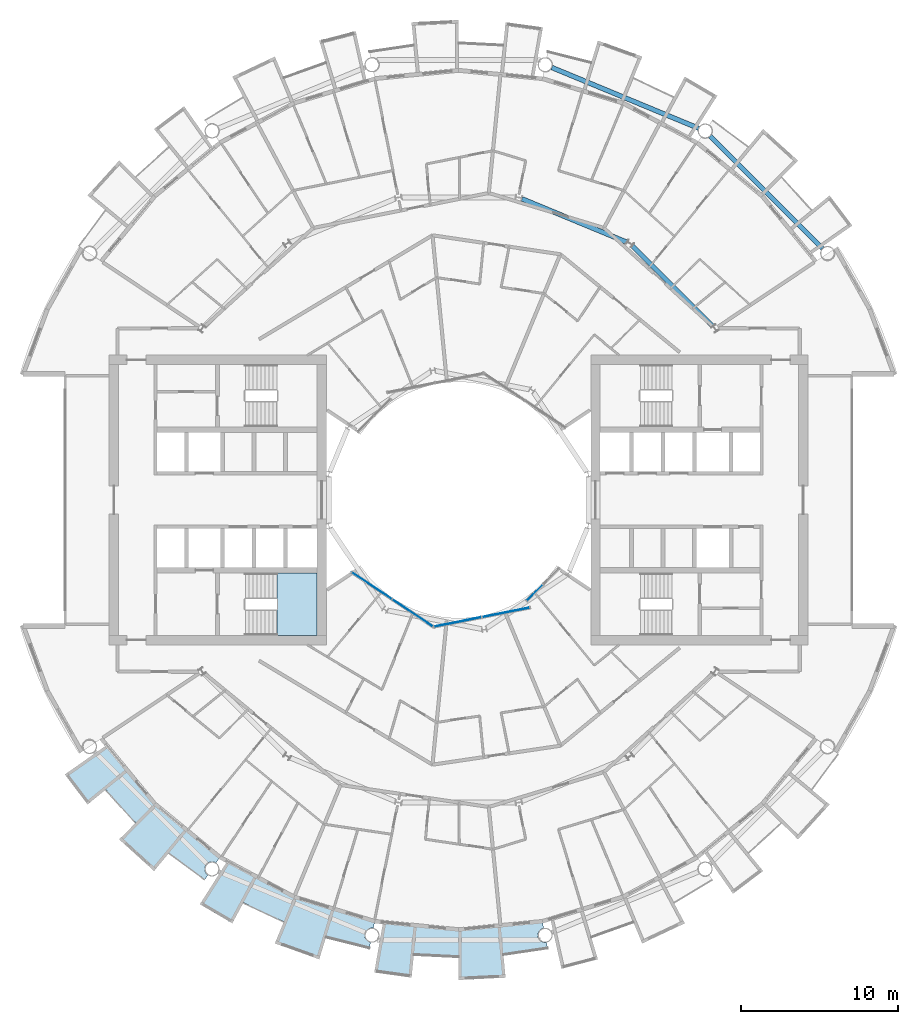
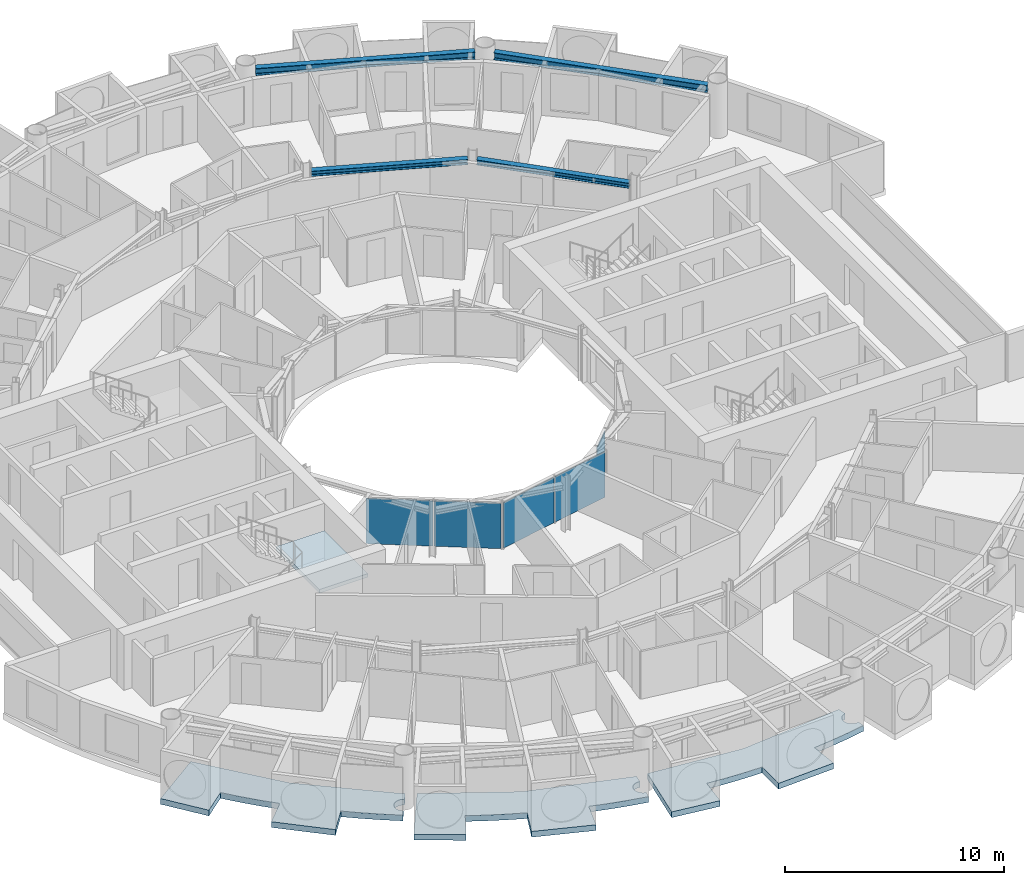
# One storey, part 10 of 27: 5 plates, 4 beams, 4 slabs, 4 elements without a shape of their own.
"""IFC4 building model written with IfcOpenShell, lengths in metres."""

import ifcopenshell
import ifcopenshell.guid

model = None  # the IFC model being written
_history = None  # IfcOwnerHistory: only IFC2X3 demands one
_inside = {}  # id of a spatial element -> (the spatial element, [elements in it])
_under = {}  # id of a project, library or spatial element -> (it, [spatial elements below it])
_declared = {}  # id of a project -> (the project, [libraries it declares])
_typed = {}  # id of a type object -> (the type object, [elements of that type])
_made_of = {}  # id of a material, layer set ... -> (it, [elements and type objects made of it])


def new_model(schema):
    """Start an empty IFC model of exactly this schema.

    Asked for "IFC4X3", IfcOpenShell would pick the latest addendum, in which some entities
    have other attributes; the version numbers below select the first issue.
    IFC2X3 requires an IfcOwnerHistory on every rooted entity: one is made here for all.
    """
    global model, _history
    if schema == "IFC4X3":
        model = ifcopenshell.file(schema_version=(4, 3, 0, 0))
    else:
        model = ifcopenshell.file(schema=schema)
    _inside.clear()
    _under.clear()
    _declared.clear()
    _typed.clear()
    _made_of.clear()
    _history = None
    if model.schema == "IFC2X3":
        org = make("IfcOrganization", Name="unknown")
        user = make(
            "IfcPersonAndOrganization",
            ThePerson=make("IfcPerson", FamilyName="unknown"),
            TheOrganization=org,
        )
        app = make(
            "IfcApplication",
            ApplicationDeveloper=org,
            Version="unknown",
            ApplicationFullName="unknown",
            ApplicationIdentifier="unknown",
        )
        _history = make(
            "IfcOwnerHistory",
            OwningUser=user,
            OwningApplication=app,
            ChangeAction="ADDED",
            CreationDate=0,
        )
    return model


def make(cls, **values):
    """One entity of the class cls with the attributes given. An attribute that is None is left unset."""
    return model.create_entity(
        cls, **{name: value for name, value in values.items() if value is not None}
    )


def rooted(cls, **values):
    """An entity with a GlobalId (a new one), such as an element, a storey or a relation."""
    return make(cls, GlobalId=ifcopenshell.guid.new(), OwnerHistory=_history, **values)


def si_unit(unit_type, name, prefix=None):
    """IfcSIUnit, for example si_unit("LENGTHUNIT", "METRE", prefix="MILLI")."""
    return make("IfcSIUnit", UnitType=unit_type, Prefix=prefix, Name=name)


def assignment(units):
    """IfcUnitAssignment: the units of a project."""
    return None if units is None else make("IfcUnitAssignment", Units=units)


def point(xyz):
    """IfcCartesianPoint."""
    return None if xyz is None else make("IfcCartesianPoint", Coordinates=xyz)


def direction(xyz):
    """IfcDirection."""
    return None if xyz is None else make("IfcDirection", DirectionRatios=xyz)


def frame(location, z_axis=None, x_axis=None):
    """IfcAxis2Placement3D, a coordinate frame: its origin and axes. An axis left out is left unset."""
    return make(
        "IfcAxis2Placement3D",
        Location=point(location),
        Axis=direction(z_axis),
        RefDirection=direction(x_axis),
    )


def frame_2d(location, x_axis=None):
    """IfcAxis2Placement2D, a coordinate frame in the plane: its origin and x axis."""
    return make(
        "IfcAxis2Placement2D", Location=point(location), RefDirection=direction(x_axis)
    )


def origin():
    """The frame at (0, 0, 0) with its axes left unset."""
    return frame((0.0, 0.0, 0.0))


def origin_2d():
    """The frame at (0, 0) in the plane with its x axis left unset."""
    return frame_2d((0.0, 0.0))


def place(relative_to, where):
    """IfcLocalPlacement: puts the frame where relative to a parent placement (None: the world)."""
    return make(
        "IfcLocalPlacement", PlacementRelTo=relative_to, RelativePlacement=where
    )


def context(
    kind, dimensions, precision=None, world=None, true_north=None, identifier=None
):
    """IfcGeometricRepresentationContext, for example the 3D "Model" context."""
    return make(
        "IfcGeometricRepresentationContext",
        ContextIdentifier=identifier,
        ContextType=kind,
        CoordinateSpaceDimension=dimensions,
        Precision=precision,
        WorldCoordinateSystem=world,
        TrueNorth=true_north,
    )


def subcontext(parent, identifier, kind, view, scale=None):
    """IfcGeometricRepresentationSubContext, for example "Body" below "Model"."""
    return make(
        "IfcGeometricRepresentationSubContext",
        ContextIdentifier=identifier,
        ContextType=kind,
        ParentContext=parent,
        TargetScale=scale,
        TargetView=view,
    )


def project(units=None, contexts=None):
    """IfcProject with its units and contexts."""
    return rooted(
        "IfcProject",
        Name="project",
        RepresentationContexts=contexts,
        UnitsInContext=assignment(units),
    )


def spatial(cls, under=None, at=None, **own):
    """A site, building, storey or space (cls), placed at a placement, below another one or the project."""
    s = rooted(cls, ObjectPlacement=at, **own)
    if under is not None:
        _under.setdefault(under.id(), (under, []))[1].append(s)
    return s


def polyline(points):
    """IfcPolyline through the points."""
    return make("IfcPolyline", Points=[point(p) for p in points])


def profile(cls, at=None, kind="AREA", **sizes):
    """A parametric profile (cls). Its sizes go by their IFC names, for example OverallWidth=200.0."""
    return make(cls, ProfileType=kind, Position=at, **sizes)


def rectangle(**sizes):
    """IfcRectangleProfileDef."""
    return profile("IfcRectangleProfileDef", **sizes)


def i_section(**sizes):
    """IfcIShapeProfileDef."""
    return profile("IfcIShapeProfileDef", **sizes)


def outline(outer, holes=None, kind="AREA"):
    """IfcArbitraryClosedProfileDef: a profile drawn as a closed curve; with holes, ...WithVoids."""
    if holes is None:
        return make("IfcArbitraryClosedProfileDef", ProfileType=kind, OuterCurve=outer)
    return make(
        "IfcArbitraryProfileDefWithVoids",
        ProfileType=kind,
        OuterCurve=outer,
        InnerCurves=holes,
    )


def extrude(swept, where, along, depth):
    """IfcExtrudedAreaSolid: the profile swept, set in the frame where, extruded along a direction by depth."""
    return make(
        "IfcExtrudedAreaSolid",
        SweptArea=swept,
        Position=where,
        ExtrudedDirection=direction(along),
        Depth=depth,
    )


def shape(context_of_items, identifier, shape_type, items):
    """IfcShapeRepresentation: the items that make up one representation, for example the "Body"."""
    return make(
        "IfcShapeRepresentation",
        ContextOfItems=context_of_items,
        RepresentationIdentifier=identifier,
        RepresentationType=shape_type,
        Items=items,
    )


def material(Name=None, Category=None):
    """IfcMaterial."""
    return make("IfcMaterial", Name=Name, Category=Category)


def layer(
    of_material, thickness, ventilated=None, Name=None, Category=None, Priority=None
):
    """IfcMaterialLayer: one layer of a wall or slab, of a material (None: an air gap)."""
    return make(
        "IfcMaterialLayer",
        Material=of_material,
        LayerThickness=thickness,
        IsVentilated=ventilated,
        Name=Name,
        Category=Category,
        Priority=Priority,
    )


def layer_set(layers, Name=None):
    """IfcMaterialLayerSet."""
    return make("IfcMaterialLayerSet", MaterialLayers=layers, LayerSetName=Name)


def material_profile(
    of_material, cross_section, Name=None, Category=None, Priority=None
):
    """IfcMaterialProfile: a cross section and its material."""
    return make(
        "IfcMaterialProfile",
        Name=Name,
        Material=of_material,
        Profile=cross_section,
        Priority=Priority,
        Category=Category,
    )


def profile_set(profiles, Name=None, composite=None):
    """IfcMaterialProfileSet."""
    return make(
        "IfcMaterialProfileSet",
        Name=Name,
        MaterialProfiles=profiles,
        CompositeProfile=composite,
    )


def made_of(thing, what):
    """Note that an element or type object is made of a material, layer set ...; save() writes the relation."""
    if what is not None:
        _made_of.setdefault(what.id(), (what, []))[1].append(thing)
    return thing


def type_object(cls, material=None, **own):
    """A type object (cls), such as IfcWallType, which elements share."""
    return made_of(rooted(cls, **own), material)


def element(
    cls,
    number,
    at=None,
    inside=None,
    cuts=None,
    type_object=None,
    material=None,
    context=None,
    identifier="Body",
    shape_type=None,
    held_by="IfcProductDefinitionShape",
    body=None,
    shapes=None,
    **own,
):
    """One element of the class cls, such as IfcWall. Its Tag is "e" and its number.

    at: its placement. inside: the storey or other place that contains it. cuts: it is an
    opening in that element (IfcRelVoidsElement). A single representation is given by context,
    identifier, shape_type and body (its items); several are given by shapes. held_by: the class
    of the entity that holds the representations. save() writes the other relations.
    """
    e = rooted(cls, Tag="e%d" % number, ObjectPlacement=at, **own)
    if body is not None:
        shapes = [shape(context, identifier, shape_type, body)]
    if shapes is not None:
        e.Representation = make(held_by, Representations=shapes)
    if inside is not None:
        _inside.setdefault(inside.id(), (inside, []))[1].append(e)
    if cuts is not None:
        rooted(
            "IfcRelVoidsElement", RelatingBuildingElement=cuts, RelatedOpeningElement=e
        )
    if type_object is not None:
        _typed.setdefault(type_object.id(), (type_object, []))[1].append(e)
    return made_of(e, material)


def aggregate(whole, parts):
    """IfcRelAggregates: a whole, such as a stair, and the parts it consists of."""
    return rooted("IfcRelAggregates", RelatingObject=whole, RelatedObjects=parts)


def save(model, path):
    """Write the relations noted so far, then the file.

    IfcRelAggregates (storeys below a building ...), IfcRelContainedInSpatialStructure (elements
    in a storey), IfcRelDefinesByType, IfcRelAssociatesMaterial and IfcRelDeclares: one each for
    every whole, place, type object, material and project.
    """
    for whole, parts in _under.values():
        aggregate(whole, parts)
    for where, things in _inside.values():
        rooted(
            "IfcRelContainedInSpatialStructure",
            RelatedElements=things,
            RelatingStructure=where,
        )
    for kind, things in _typed.values():
        rooted("IfcRelDefinesByType", RelatedObjects=things, RelatingType=kind)
    for what, things in _made_of.values():
        rooted("IfcRelAssociatesMaterial", RelatedObjects=things, RelatingMaterial=what)
    for by, libraries in _declared.values():
        rooted("IfcRelDeclares", RelatingContext=by, RelatedDefinitions=libraries)
    model.write(path)


model = new_model("IFC4")

# Units and contexts
model_context = context("Model", 3, precision=1e-05, world=origin(), true_north=direction((0.0, 1.0)))
body_context = subcontext(model_context, "Body", "Model", "MODEL_VIEW")
ifc_project = project(units=[si_unit("LENGTHUNIT", "METRE"), si_unit("AREAUNIT", "SQUARE_METRE"), si_unit("VOLUMEUNIT", "CUBIC_METRE"), si_unit("PLANEANGLEUNIT", "RADIAN"), si_unit("MASSUNIT", "GRAM", prefix="KILO")], contexts=[model_context])

# Site, building, storey
site_placement = place(None, origin())
site = spatial("IfcSite", under=ifc_project, at=site_placement, CompositionType="ELEMENT")
building_placement = place(site_placement, origin())
building = spatial("IfcBuilding", under=site, at=building_placement, Name="Maasbend Ring Residences", CompositionType="ELEMENT")
storey_placement = place(building_placement, frame((0.0, 0.0, 136.050048828125)))
storey = spatial("IfcBuildingStorey", under=building, at=storey_placement, Name="L39", CompositionType="ELEMENT", Elevation=136.050048828125)

# Beams
ifc_material_1 = material(Name="Steel S355J2", Category="steel")
ifc_material_profile_1 = material_profile(ifc_material_1, i_section(OverallWidth=0.300048828125, OverallDepth=0.2900390625, WebThickness=0.008544921875, FlangeThickness=0.013916015625, FilletRadius=0.027099609375, at=origin_2d()), Name="HEA 300")
ifc_profile_set_1 = profile_set([ifc_material_profile_1], Name="Steel S355J2")
beam_type_1 = type_object("IfcBeamType", Name="Corridor ring beam HEA 300", PredefinedType="BEAM", material=ifc_profile_set_1)
for number, where, z_axis, x_axis, name in (
    (1, (16.14111328125, 11.044921875, 2.5048828125), (-0.707106781187, 0.707106781187, 0.0), (-0.707106781187, -0.707106781187, 0.0), "Corridor ring beam"),
    (2, (10.685791015625, 16.381103515625, 2.5048828125), (-0.923877693919, 0.382687871089, 0.0), (-0.382687871089, -0.923877693919, 0.0), "Corridor ring beam"),
):
    element("IfcBeam", number, at=place(storey_placement, frame(where, z_axis=z_axis, x_axis=x_axis)), inside=storey, type_object=beam_type_1, Name=name, PredefinedType="BEAM", context=body_context, shape_type="SweptSolid", body=[
        extrude(i_section(OverallWidth=0.300048828125, OverallDepth=0.2900390625, WebThickness=0.008544921875, FlangeThickness=0.013916015625, FilletRadius=0.027099609375, at=origin_2d()), origin(), (0.0, 0.0, 1.0), 7.20703125),
    ])
ifc_material_2 = material(Name="Steel S355J2", Category="steel")
ifc_material_profile_2 = material_profile(ifc_material_2, i_section(OverallWidth=0.300048828125, OverallDepth=0.39990234375, WebThickness=0.013427734375, FlangeThickness=0.02392578125, FilletRadius=0.027099609375, at=origin_2d()), Name="HEB 400")
ifc_profile_set_2 = profile_set([ifc_material_profile_2], Name="Steel S355J2")
beam_type_2 = type_object("IfcBeamType", Name="Spandrel ring beam HEB 400", PredefinedType="SPANDREL", material=ifc_profile_set_2)
for number, where, z_axis, x_axis, name in (
    (3, (23.124267578125, 15.990234375, 2.449951171875), (-0.707106781187, 0.707106781187, 0.0), (-0.707106781187, -0.707106781187, 0.0), "Spandrel ring beam"),
    (4, (15.244873046875, 23.622314453125, 2.449951171875), (-0.92388529709, 0.382669515144, 0.0), (-0.382669515144, -0.92388529709, 0.0), "Spandrel ring beam"),
):
    element("IfcBeam", number, at=place(storey_placement, frame(where, z_axis=z_axis, x_axis=x_axis)), inside=storey, type_object=beam_type_2, Name=name, PredefinedType="SPANDREL", context=body_context, shape_type="SweptSolid", body=[
        extrude(i_section(OverallWidth=0.300048828125, OverallDepth=0.39990234375, WebThickness=0.013427734375, FlangeThickness=0.02392578125, FilletRadius=0.027099609375, at=origin_2d()), origin(), (0.0, 0.0, 1.0), 10.089111328125),
    ])

# Stair, slab
ifc_material_3 = material(Name="Concrete C40/50", Category="concrete")
stair_type = type_object("IfcStairType", Name="CORE STAIR 18 RISERS", PredefinedType="HALF_TURN_STAIR", material=ifc_material_3)
stair_placement = place(storey_placement, origin())
stair = element("IfcStair", 5, at=stair_placement, inside=storey, type_object=stair_type, Name="L39 Exit stair ST-W1", PredefinedType="HALF_TURN_STAIR")
ifc_material_4 = material(Name="Concrete C40/50", Category="concrete")
ifc_layer_1 = layer(ifc_material_4, 0.199951171875)
ifc_layer_set_1 = layer_set([ifc_layer_1], Name="Concrete C40/50")
slab_type_1 = type_object("IfcSlabType", Name="CORE STAIR LANDING 200", PredefinedType="LANDING", material=ifc_layer_set_1)
slab_1_placement = place(storey_placement, frame((0.0, 0.0, 1.324951171875)))
slab_1 = element("IfcSlab", 6, at=slab_1_placement, type_object=slab_type_1, Name="ST-W1 landing 1", PredefinedType="LANDING", context=body_context, shape_type="SweptSolid", body=[
    extrude(outline(polyline([(-11.550048828125, -8.60009765625), (-9.0, -8.60009765625), (-9.0, -4.64990234375), (-11.550048828125, -4.64990234375), (-11.550048828125, -8.60009765625)])), origin(), (0.0, 0.0, 1.0), 0.199951171875),
])
aggregate(stair, [slab_1])

# Curtain wall, plates
ifc_material_5 = material(Name="Aluminium and clear glass", Category="aluminium")
ifc_layer_2 = layer(ifc_material_5, 0.179931640625)
ifc_layer_set_2 = layer_set([ifc_layer_2], Name="CW-W")
curtain_wall_type = type_object("IfcCurtainWallType", Name="CW-W", PredefinedType="NOTDEFINED", material=ifc_layer_set_2)
curtain_wall_1_placement = place(storey_placement, origin())
curtain_wall_1 = element("IfcCurtainWall", 7, at=curtain_wall_1_placement, inside=storey, type_object=curtain_wall_type, Name="Well curtain wall S1", PredefinedType="NOTDEFINED")
ifc_material_6 = material(Name="Glass clear laminated", Category="glass")
ifc_layer_3 = layer(ifc_material_6, 0.031982421875)
ifc_layer_set_3 = layer_set([ifc_layer_3], Name="CWP-W")
plate_type = type_object("IfcPlateType", Name="CWP-W", PredefinedType="CURTAIN_PANEL", material=ifc_layer_set_3)
plate_1_placement = place(storey_placement, frame((-5.51123046875, -5.44580078125, 0.0), z_axis=(0.0, 0.0, 1.0), x_axis=(0.831469612303, -0.55557023302, 0.0)))
plate_1 = element("IfcPlate", 8, at=plate_1_placement, type_object=plate_type, Name="Glass panel well face", PredefinedType="CURTAIN_PANEL", context=body_context, shape_type="SweptSolid", body=[
    extrude(rectangle(XDim=3.053955078125, YDim=0.031982421875, at=origin_2d()), origin(), (0.0, 0.0, 1.0), 2.530029296875),
])
plate_2_placement = place(storey_placement, frame((-2.922119140625, -7.17578125, 0.0), z_axis=(0.0, 0.0, 1.0), x_axis=(0.831469612303, -0.55557023302, 0.0)))
plate_2 = element("IfcPlate", 9, at=plate_2_placement, type_object=plate_type, Name="Glass panel well face", PredefinedType="CURTAIN_PANEL", context=body_context, shape_type="SweptSolid", body=[
    extrude(rectangle(XDim=3.053955078125, YDim=0.031982421875, at=origin_2d()), origin(), (0.0, 0.0, 1.0), 2.530029296875),
])
aggregate(curtain_wall_1, [plate_1, plate_2])

curtain_wall_2_placement = place(storey_placement, origin())
curtain_wall_2 = element("IfcCurtainWall", 10, at=curtain_wall_2_placement, inside=storey, type_object=curtain_wall_type, Name="Well curtain wall S2", PredefinedType="NOTDEFINED")
plate_3_placement = place(storey_placement, frame((-0.04638671875, -7.747802734375, 0.0), z_axis=(0.0, 0.0, 1.0), x_axis=(0.980785280403, 0.195090322016, 0.0)))
plate_3 = element("IfcPlate", 11, at=plate_3_placement, type_object=plate_type, Name="Glass panel well face", PredefinedType="CURTAIN_PANEL", context=body_context, shape_type="SweptSolid", body=[
    extrude(rectangle(XDim=3.053955078125, YDim=0.031982421875, at=origin_2d()), origin(), (0.0, 0.0, 1.0), 2.530029296875),
])
plate_4_placement = place(storey_placement, frame((3.0078125, -7.140380859375, 0.0), z_axis=(0.0, 0.0, 1.0), x_axis=(0.980785280403, 0.195090322016, 0.0)))
plate_4 = element("IfcPlate", 12, at=plate_4_placement, type_object=plate_type, Name="Glass panel well face", PredefinedType="CURTAIN_PANEL", context=body_context, shape_type="SweptSolid", body=[
    extrude(rectangle(XDim=3.053955078125, YDim=0.031982421875, at=origin_2d()), origin(), (0.0, 0.0, 1.0), 2.530029296875),
])
aggregate(curtain_wall_2, [plate_3, plate_4])

# Curtain wall, plate
curtain_wall_3_placement = place(storey_placement, origin())
curtain_wall_3 = element("IfcCurtainWall", 13, at=curtain_wall_3_placement, inside=storey, type_object=curtain_wall_type, Name="Well curtain wall S3", PredefinedType="NOTDEFINED")
plate_5_placement = place(storey_placement, frame((4.84375, -5.89013671875, 0.0), z_axis=(0.0, 0.0, 1.0), x_axis=(0.707106781187, 0.707106781187, 0.0)))
plate_5 = element("IfcPlate", 14, at=plate_5_placement, type_object=plate_type, Name="Glass panel well face", PredefinedType="CURTAIN_PANEL", context=body_context, shape_type="SweptSolid", body=[
    extrude(rectangle(XDim=1.419677734375, YDim=0.031982421875, at=origin_2d()), origin(), (0.0, 0.0, 1.0), 2.530029296875),
])
aggregate(curtain_wall_3, [plate_5])

# Slabs
ifc_material_7 = material(Name="Concrete C40/50", Category="concrete")
ifc_layer_4 = layer(ifc_material_7, 0.199951171875)
ifc_layer_set_4 = layer_set([ifc_layer_4], Name="Concrete C40/50")
slab_type_2 = type_object("IfcSlabType", Name="SL-LOGGIA", PredefinedType="FLOOR", material=ifc_layer_set_4)
slab_2_placement = place(storey_placement, frame((0.0, 0.0, -0.35009765625)))
element("IfcSlab", 15, at=slab_2_placement, inside=storey, type_object=slab_type_2, Name="Loggia floor 2", PredefinedType="FLOOR", context=body_context, shape_type="SweptSolid", body=[
    extrude(outline(polyline([(-12.806884765625, -23.9609375), (-10.447021484375, -25.221923828125), (-10.447021484375, -25.221923828125), (-10.447021484375, -25.221923828125), (-7.886962890625, -25.9990234375), (-5.325927734375, -26.77490234375), (-5.325927734375, -26.77490234375), (-5.325927734375, -26.77490234375), (-5.412109375, -27.2099609375), (-5.423095703125, -27.2080078125), (-5.43408203125, -27.2060546875), (-5.446044921875, -27.205078125), (-5.45703125, -27.202880859375), (-5.468017578125, -27.201904296875), (-5.47900390625, -27.201904296875), (-5.489990234375, -27.200927734375), (-5.501953125, -27.200927734375), (-5.512939453125, -27.200927734375), (-5.52392578125, -27.201904296875), (-5.534912109375, -27.201904296875), (-5.5458984375, -27.202880859375), (-5.556884765625, -27.205078125), (-5.569091796875, -27.2060546875), (-5.580078125, -27.2080078125), (-5.591064453125, -27.2099609375), (-5.60205078125, -27.2119140625), (-5.613037109375, -27.215087890625), (-5.623046875, -27.218017578125), (-5.634033203125, -27.220947265625), (-5.64501953125, -27.22412109375), (-5.655029296875, -27.22802734375), (-5.666015625, -27.23193359375), (-5.676025390625, -27.236083984375), (-5.68701171875, -27.239990234375), (-5.697021484375, -27.2451171875), (-5.70703125, -27.25), (-5.717041015625, -27.2548828125), (-5.72705078125, -27.260009765625), (-5.736083984375, -27.26611328125), (-5.74609375, -27.27197265625), (-5.7548828125, -27.278076171875), (-5.764892578125, -27.283935546875), (-5.77392578125, -27.291015625), (-5.782958984375, -27.298095703125), (-5.791015625, -27.304931640625), (-5.800048828125, -27.31201171875), (-5.80810546875, -27.319091796875), (-5.81689453125, -27.326904296875), (-5.824951171875, -27.3349609375), (-5.83203125, -27.343017578125), (-5.840087890625, -27.35107421875), (-5.847900390625, -27.360107421875), (-5.85498046875, -27.367919921875), (-5.862060546875, -27.376953125), (-5.868896484375, -27.385986328125), (-5.875, -27.39501953125), (-5.881103515625, -27.404052734375), (-5.887939453125, -27.4140625), (-5.89306640625, -27.423095703125), (-5.89892578125, -27.43310546875), (-5.905029296875, -27.443115234375), (-5.909912109375, -27.452880859375), (-5.9150390625, -27.462890625), (-5.9189453125, -27.472900390625), (-5.924072265625, -27.48291015625), (-5.927978515625, -27.493896484375), (-5.931884765625, -27.50390625), (-5.93505859375, -27.514892578125), (-5.93896484375, -27.52490234375), (-5.94189453125, -27.535888671875), (-5.945068359375, -27.547119140625), (-5.947021484375, -27.55810546875), (-5.949951171875, -27.569091796875), (-5.951904296875, -27.580078125), (-5.9541015625, -27.591064453125), (-5.955078125, -27.60205078125), (-5.9560546875, -27.613037109375), (-5.95703125, -27.6240234375), (-5.9580078125, -27.635986328125), (-5.9580078125, -27.64697265625), (-5.9580078125, -27.657958984375), (-5.9580078125, -27.6689453125), (-5.9580078125, -27.680908203125), (-5.95703125, -27.69189453125), (-5.9560546875, -27.702880859375), (-5.955078125, -27.714111328125), (-5.9541015625, -27.72509765625), (-5.951904296875, -27.736083984375), (-5.949951171875, -27.7470703125), (-5.947021484375, -27.758056640625), (-5.945068359375, -27.76904296875), (-5.94189453125, -27.780029296875), (-5.93896484375, -27.791015625), (-5.93505859375, -27.801025390625), (-5.931884765625, -27.81201171875), (-5.927978515625, -27.822998046875), (-5.924072265625, -27.8330078125), (-5.9189453125, -27.843017578125), (-5.9150390625, -27.85302734375), (-5.909912109375, -27.864013671875), (-5.905029296875, -27.8740234375), (-5.89892578125, -27.883056640625), (-5.89306640625, -27.89306640625), (-5.887939453125, -27.903076171875), (-5.881103515625, -27.912109375), (-5.875, -27.9208984375), (-5.868896484375, -27.929931640625), (-5.862060546875, -27.93896484375), (-5.85498046875, -27.947998046875), (-5.847900390625, -27.95703125), (-5.840087890625, -27.965087890625), (-5.83203125, -27.972900390625), (-5.824951171875, -27.98095703125), (-5.81689453125, -27.989013671875), (-5.80810546875, -27.9970703125), (-5.800048828125, -28.00390625), (-5.791015625, -28.010986328125), (-5.782958984375, -28.01806640625), (-5.77392578125, -28.02490234375), (-5.764892578125, -28.031982421875), (-5.7548828125, -28.0380859375), (-5.74609375, -28.0439453125), (-5.736083984375, -28.050048828125), (-5.72705078125, -28.055908203125), (-5.717041015625, -28.06103515625), (-5.70703125, -28.06591796875), (-5.697021484375, -28.071044921875), (-5.68701171875, -28.075927734375), (-5.676025390625, -28.080078125), (-5.666015625, -28.083984375), (-5.655029296875, -28.087890625), (-5.64501953125, -28.092041015625), (-5.634033203125, -28.094970703125), (-5.623046875, -28.09912109375), (-5.613037109375, -28.10107421875), (-5.60205078125, -28.10400390625), (-5.591064453125, -28.10595703125), (-5.657958984375, -28.443115234375), (-5.657958984375, -28.443115234375), (-5.657958984375, -28.443115234375), (-6.5849609375, -28.241943359375), (-6.5849609375, -28.241943359375), (-7.506103515625, -28.011962890625), (-7.506103515625, -28.011962890625), (-8.41796875, -27.7509765625), (-8.41796875, -27.7509765625), (-8.41796875, -27.7509765625), (-8.41796875, -27.7509765625), (-8.41796875, -27.7509765625), (-8.41796875, -27.7509765625), (-8.41796875, -27.7509765625), (-8.41796875, -27.7509765625), (-8.41796875, -27.7509765625), (-8.41796875, -27.7509765625), (-8.41796875, -27.751953125), (-8.41796875, -27.751953125), (-8.41796875, -27.751953125), (-8.41796875, -27.751953125), (-8.41796875, -27.751953125), (-8.41796875, -27.751953125), (-8.41796875, -27.751953125), (-8.85400390625, -29.18701171875), (-8.85400390625, -29.18701171875), (-8.85400390625, -29.18701171875), (-11.672119140625, -28.177978515625), (-11.672119140625, -28.177978515625), (-11.672119140625, -28.177978515625), (-11.097900390625, -26.79296875), (-11.097900390625, -26.79296875), (-11.097900390625, -26.79296875), (-11.097900390625, -26.79296875), (-11.097900390625, -26.79296875), (-11.097900390625, -26.79296875), (-11.097900390625, -26.79296875), (-11.097900390625, -26.79296875), (-11.097900390625, -26.79296875), (-11.097900390625, -26.79296875), (-11.097900390625, -26.7919921875), (-11.097900390625, -26.7919921875), (-11.097900390625, -26.7919921875), (-11.097900390625, -26.7919921875), (-11.097900390625, -26.7919921875), (-11.097900390625, -26.7919921875), (-11.097900390625, -26.7919921875), (-11.968994140625, -26.4150390625), (-11.968994140625, -26.4150390625), (-12.825927734375, -26.009033203125), (-12.825927734375, -26.009033203125), (-13.669921875, -25.575927734375), (-13.669921875, -25.575927734375), (-13.669921875, -25.575927734375), (-13.669921875, -25.575927734375), (-13.669921875, -25.575927734375), (-13.669921875, -25.575927734375), (-13.669921875, -25.575927734375), (-13.669921875, -25.575927734375), (-13.669921875, -25.575927734375), (-13.669921875, -25.575927734375), (-13.6708984375, -25.575927734375), (-13.6708984375, -25.575927734375), (-13.6708984375, -25.575927734375), (-13.6708984375, -25.575927734375), (-13.6708984375, -25.575927734375), (-13.6708984375, -25.575927734375), (-13.6708984375, -25.575927734375), (-14.3779296875, -26.89892578125), (-14.3779296875, -26.89892578125), (-14.3779296875, -26.89892578125), (-16.44091796875, -25.68994140625), (-16.44091796875, -25.68994140625), (-16.44091796875, -25.68994140625), (-14.68994140625, -22.9541015625), (-14.68994140625, -22.9541015625), (-14.68994140625, -22.9541015625), (-12.806884765625, -23.9609375)])), origin(), (0.0, 0.0, 1.0), 0.320068359375),
])
slab_3_placement = place(storey_placement, frame((0.0, 0.0, -0.35009765625)))
element("IfcSlab", 16, at=slab_3_placement, inside=storey, type_object=slab_type_2, Name="Loggia floor 3", PredefinedType="FLOOR", context=body_context, shape_type="SweptSolid", body=[
    extrude(outline(polyline([(-2.6630859375, -27.0380859375), (0.0, -27.300048828125), (0.0, -27.300048828125), (0.0, -27.300048828125), (2.6630859375, -27.0380859375), (5.325927734375, -26.77490234375), (5.325927734375, -26.77490234375), (5.325927734375, -26.77490234375), (5.412109375, -27.2099609375), (5.412109375, -27.2099609375), (5.40087890625, -27.2119140625), (5.389892578125, -27.215087890625), (5.3798828125, -27.218017578125), (5.368896484375, -27.220947265625), (5.35791015625, -27.22412109375), (5.347900390625, -27.22802734375), (5.3369140625, -27.23193359375), (5.326904296875, -27.236083984375), (5.31591796875, -27.239990234375), (5.305908203125, -27.2451171875), (5.2958984375, -27.25), (5.285888671875, -27.2548828125), (5.27587890625, -27.260009765625), (5.26708984375, -27.26611328125), (5.257080078125, -27.27197265625), (5.248046875, -27.278076171875), (5.238037109375, -27.283935546875), (5.22900390625, -27.291015625), (5.219970703125, -27.298095703125), (5.2119140625, -27.304931640625), (5.202880859375, -27.31201171875), (5.195068359375, -27.319091796875), (5.18603515625, -27.326904296875), (5.177978515625, -27.3349609375), (5.1708984375, -27.343017578125), (5.1630859375, -27.35107421875), (5.155029296875, -27.360107421875), (5.14794921875, -27.367919921875), (5.14111328125, -27.376953125), (5.134033203125, -27.385986328125), (5.1279296875, -27.39501953125), (5.1220703125, -27.404052734375), (5.114990234375, -27.4140625), (5.110107421875, -27.423095703125), (5.10400390625, -27.43310546875), (5.097900390625, -27.443115234375), (5.093017578125, -27.452880859375), (5.087890625, -27.462890625), (5.083984375, -27.472900390625), (5.0791015625, -27.48291015625), (5.074951171875, -27.493896484375), (5.071044921875, -27.50390625), (5.068115234375, -27.514892578125), (5.06396484375, -27.52490234375), (5.06103515625, -27.535888671875), (5.05810546875, -27.547119140625), (5.055908203125, -27.55810546875), (5.052978515625, -27.569091796875), (5.051025390625, -27.580078125), (5.049072265625, -27.591064453125), (5.048095703125, -27.60205078125), (5.047119140625, -27.613037109375), (5.0458984375, -27.6240234375), (5.044921875, -27.635986328125), (5.044921875, -27.64697265625), (5.044921875, -27.657958984375), (5.044921875, -27.6689453125), (5.044921875, -27.680908203125), (5.0458984375, -27.69189453125), (5.047119140625, -27.702880859375), (5.048095703125, -27.714111328125), (5.049072265625, -27.72509765625), (5.051025390625, -27.736083984375), (5.052978515625, -27.7470703125), (5.055908203125, -27.758056640625), (5.05810546875, -27.76904296875), (5.06103515625, -27.780029296875), (5.06396484375, -27.791015625), (5.068115234375, -27.801025390625), (5.071044921875, -27.81201171875), (5.074951171875, -27.822998046875), (5.0791015625, -27.8330078125), (5.083984375, -27.843017578125), (5.087890625, -27.85302734375), (5.093017578125, -27.864013671875), (5.097900390625, -27.8740234375), (5.10400390625, -27.883056640625), (5.110107421875, -27.89306640625), (5.114990234375, -27.903076171875), (5.1220703125, -27.912109375), (5.1279296875, -27.9208984375), (5.134033203125, -27.929931640625), (5.14111328125, -27.93896484375), (5.14794921875, -27.947998046875), (5.155029296875, -27.95703125), (5.1630859375, -27.965087890625), (5.1708984375, -27.972900390625), (5.177978515625, -27.98095703125), (5.18603515625, -27.989013671875), (5.195068359375, -27.9970703125), (5.202880859375, -28.00390625), (5.2119140625, -28.010986328125), (5.219970703125, -28.01806640625), (5.22900390625, -28.02490234375), (5.238037109375, -28.031982421875), (5.248046875, -28.0380859375), (5.257080078125, -28.0439453125), (5.26708984375, -28.050048828125), (5.27587890625, -28.055908203125), (5.285888671875, -28.06103515625), (5.2958984375, -28.06591796875), (5.305908203125, -28.071044921875), (5.31591796875, -28.075927734375), (5.326904296875, -28.080078125), (5.3369140625, -28.083984375), (5.347900390625, -28.087890625), (5.35791015625, -28.092041015625), (5.368896484375, -28.094970703125), (5.3798828125, -28.09912109375), (5.389892578125, -28.10107421875), (5.40087890625, -28.10400390625), (5.412109375, -28.10595703125), (5.423095703125, -28.10791015625), (5.43408203125, -28.110107421875), (5.446044921875, -28.112060546875), (5.45703125, -28.113037109375), (5.468017578125, -28.114013671875), (5.47900390625, -28.114990234375), (5.489990234375, -28.114990234375), (5.501953125, -28.114990234375), (5.512939453125, -28.114990234375), (5.52392578125, -28.114990234375), (5.534912109375, -28.114013671875), (5.5458984375, -28.113037109375), (5.556884765625, -28.112060546875), (5.569091796875, -28.110107421875), (5.580078125, -28.10791015625), (5.591064453125, -28.10595703125), (5.591064453125, -28.10595703125), (5.657958984375, -28.443115234375), (5.657958984375, -28.443115234375), (5.657958984375, -28.443115234375), (4.72412109375, -28.613037109375), (4.72412109375, -28.613037109375), (3.784912109375, -28.751953125), (3.784912109375, -28.751953125), (2.843017578125, -28.860107421875), (2.843017578125, -28.860107421875), (2.843017578125, -28.860107421875), (2.843017578125, -28.860107421875), (2.843017578125, -28.860107421875), (2.843017578125, -28.860107421875), (2.843017578125, -28.860107421875), (2.843017578125, -28.860107421875), (2.843017578125, -28.860107421875), (2.843017578125, -28.861083984375), (2.843017578125, -28.861083984375), (2.843017578125, -28.861083984375), (2.843017578125, -28.861083984375), (2.843017578125, -28.861083984375), (2.843017578125, -28.861083984375), (2.843017578125, -28.861083984375), (2.843017578125, -28.861083984375), (2.989990234375, -30.35302734375), (2.989990234375, -30.35302734375), (2.989990234375, -30.35302734375), (0.0, -30.5), (0.0, -30.5), (0.0, -30.5), (0.0, -29.0), (0.0, -29.0), (0.0, -29.0), (0.0, -29.0), (0.0, -29.0), (0.0, -29.0), (0.0, -29.0), (0.0, -29.0), (0.0, -29.0), (0.0, -29.0), (0.0, -29.0), (0.0, -29.0), (0.0, -29.0), (0.0, -29.0), (0.0, -29.0), (0.0, -29.0), (0.0, -29.0), (-0.948974609375, -28.98388671875), (-0.948974609375, -28.98388671875), (-1.89697265625, -28.93798828125), (-1.89697265625, -28.93798828125), (-2.842041015625, -28.860107421875), (-2.842041015625, -28.860107421875), (-2.842041015625, -28.860107421875), (-2.842041015625, -28.860107421875), (-2.842041015625, -28.860107421875), (-2.842041015625, -28.860107421875), (-2.842041015625, -28.860107421875), (-2.842041015625, -28.860107421875), (-2.842041015625, -28.861083984375), (-2.842041015625, -28.861083984375), (-2.842041015625, -28.861083984375), (-2.842041015625, -28.861083984375), (-2.842041015625, -28.861083984375), (-2.843017578125, -28.861083984375), (-2.843017578125, -28.861083984375), (-2.843017578125, -28.861083984375), (-2.843017578125, -28.861083984375), (-2.989990234375, -30.35302734375), (-2.989990234375, -30.35302734375), (-2.989990234375, -30.35302734375), (-5.35791015625, -30.02587890625), (-5.35791015625, -30.02587890625), (-5.35791015625, -30.02587890625), (-4.7880859375, -26.827880859375), (-4.7880859375, -26.827880859375), (-4.7880859375, -26.827880859375), (-2.6630859375, -27.0380859375)])), origin(), (0.0, 0.0, 1.0), 0.320068359375),
])
slab_4_placement = place(storey_placement, frame((0.0, 0.0, -0.35009765625)))
element("IfcSlab", 17, at=slab_4_placement, inside=storey, type_object=slab_type_2, Name="Loggia floor 5", PredefinedType="FLOOR", context=body_context, shape_type="SweptSolid", body=[
    extrude(outline(polyline([(-21.001953125, -17.236083984375), (-19.303955078125, -19.303955078125), (-19.303955078125, -19.303955078125), (-19.303955078125, -19.303955078125), (-17.236083984375, -21.001953125), (-15.1669921875, -22.698974609375), (-15.1669921875, -22.698974609375), (-15.1669921875, -22.698974609375), (-15.4130859375, -23.06689453125), (-15.4130859375, -23.06689453125), (-15.423095703125, -23.06103515625), (-15.431884765625, -23.054931640625), (-15.44189453125, -23.050048828125), (-15.451904296875, -23.0439453125), (-15.4619140625, -23.0390625), (-15.471923828125, -23.033935546875), (-15.48193359375, -23.030029296875), (-15.491943359375, -23.02490234375), (-15.5029296875, -23.02099609375), (-15.512939453125, -23.01708984375), (-15.52392578125, -23.012939453125), (-15.533935546875, -23.010009765625), (-15.544921875, -23.007080078125), (-15.555908203125, -23.00390625), (-15.56689453125, -23.001953125), (-15.577880859375, -22.9990234375), (-15.589111328125, -22.9970703125), (-15.60009765625, -22.9951171875), (-15.611083984375, -22.993896484375), (-15.6220703125, -22.992919921875), (-15.633056640625, -22.991943359375), (-15.64501953125, -22.990966796875), (-15.656005859375, -22.990966796875), (-15.6669921875, -22.989990234375), (-15.677978515625, -22.990966796875), (-15.68994140625, -22.990966796875), (-15.700927734375, -22.991943359375), (-15.7119140625, -22.992919921875), (-15.722900390625, -22.993896484375), (-15.73388671875, -22.9951171875), (-15.7451171875, -22.9970703125), (-15.756103515625, -22.9990234375), (-15.76708984375, -23.001953125), (-15.778076171875, -23.00390625), (-15.7890625, -23.007080078125), (-15.800048828125, -23.010009765625), (-15.81005859375, -23.012939453125), (-15.821044921875, -23.01708984375), (-15.83203125, -23.02099609375), (-15.842041015625, -23.02490234375), (-15.85205078125, -23.030029296875), (-15.862060546875, -23.033935546875), (-15.873046875, -23.0390625), (-15.883056640625, -23.0439453125), (-15.89208984375, -23.050048828125), (-15.902099609375, -23.054931640625), (-15.912109375, -23.06103515625), (-15.9208984375, -23.06689453125), (-15.929931640625, -23.073974609375), (-15.93896484375, -23.080078125), (-15.947998046875, -23.0869140625), (-15.95703125, -23.093994140625), (-15.966064453125, -23.10107421875), (-15.97412109375, -23.10888671875), (-15.98193359375, -23.115966796875), (-15.989990234375, -23.1240234375), (-15.998046875, -23.132080078125), (-16.006103515625, -23.139892578125), (-16.012939453125, -23.14892578125), (-16.02001953125, -23.156982421875), (-16.027099609375, -23.166015625), (-16.033935546875, -23.175048828125), (-16.041015625, -23.18408203125), (-16.047119140625, -23.194091796875), (-16.052978515625, -23.202880859375), (-16.05908203125, -23.2119140625), (-16.06494140625, -23.221923828125), (-16.070068359375, -23.23193359375), (-16.074951171875, -23.241943359375), (-16.080078125, -23.251953125), (-16.0849609375, -23.261962890625), (-16.089111328125, -23.27294921875), (-16.093017578125, -23.282958984375), (-16.096923828125, -23.29296875), (-16.10107421875, -23.303955078125), (-16.10400390625, -23.31494140625), (-16.10791015625, -23.325927734375), (-16.110107421875, -23.3359375), (-16.113037109375, -23.346923828125), (-16.114990234375, -23.35791015625), (-16.116943359375, -23.368896484375), (-16.118896484375, -23.3798828125), (-16.12109375, -23.39111328125), (-16.1220703125, -23.403076171875), (-16.123046875, -23.4140625), (-16.1240234375, -23.425048828125), (-16.1240234375, -23.43603515625), (-16.1240234375, -23.447021484375), (-16.1240234375, -23.458984375), (-16.1240234375, -23.469970703125), (-16.123046875, -23.48095703125), (-16.1220703125, -23.491943359375), (-16.12109375, -23.5029296875), (-16.118896484375, -23.513916015625), (-16.116943359375, -23.52587890625), (-16.114990234375, -23.537109375), (-16.113037109375, -23.548095703125), (-16.110107421875, -23.55810546875), (-16.10791015625, -23.569091796875), (-16.10400390625, -23.580078125), (-16.10107421875, -23.591064453125), (-16.096923828125, -23.60107421875), (-16.093017578125, -23.612060546875), (-16.089111328125, -23.6220703125), (-16.0849609375, -23.633056640625), (-16.080078125, -23.64306640625), (-16.074951171875, -23.653076171875), (-16.070068359375, -23.6630859375), (-16.06494140625, -23.673095703125), (-16.05908203125, -23.681884765625), (-16.052978515625, -23.69189453125), (-16.047119140625, -23.700927734375), (-16.041015625, -23.7109375), (-16.033935546875, -23.719970703125), (-16.027099609375, -23.72900390625), (-16.02001953125, -23.737060546875), (-16.012939453125, -23.74609375), (-16.006103515625, -23.75390625), (-15.998046875, -23.762939453125), (-15.989990234375, -23.77099609375), (-15.98193359375, -23.778076171875), (-15.97412109375, -23.785888671875), (-15.966064453125, -23.79296875), (-15.95703125, -23.801025390625), (-15.947998046875, -23.80810546875), (-15.93896484375, -23.81396484375), (-15.929931640625, -23.821044921875), (-15.9208984375, -23.826904296875), (-15.9208984375, -23.826904296875), (-16.112060546875, -24.113037109375), (-16.112060546875, -24.113037109375), (-16.112060546875, -24.113037109375), (-16.89208984375, -23.572998046875), (-16.89208984375, -23.572998046875), (-17.654052734375, -23.007080078125), (-17.654052734375, -23.007080078125), (-18.39697265625, -22.41796875), (-18.39697265625, -22.41796875), (-18.39697265625, -22.41796875), (-18.39697265625, -22.41796875), (-18.39697265625, -22.41796875), (-18.39697265625, -22.41796875), (-18.39697265625, -22.41796875), (-18.39697265625, -22.41796875), (-18.39697265625, -22.41796875), (-18.39697265625, -22.41796875), (-18.39697265625, -22.41796875), (-18.39794921875, -22.41796875), (-18.39794921875, -22.41796875), (-18.39794921875, -22.41796875), (-18.39794921875, -22.41796875), (-18.39794921875, -22.41796875), (-18.39794921875, -22.41796875), (-19.34912109375, -23.576904296875), (-19.34912109375, -23.576904296875), (-19.34912109375, -23.576904296875), (-21.56689453125, -21.56689453125), (-21.56689453125, -21.56689453125), (-21.56689453125, -21.56689453125), (-20.506103515625, -20.506103515625), (-20.506103515625, -20.506103515625), (-20.506103515625, -20.506103515625), (-20.506103515625, -20.506103515625), (-20.506103515625, -20.506103515625), (-20.506103515625, -20.506103515625), (-20.506103515625, -20.506103515625), (-20.506103515625, -20.506103515625), (-20.506103515625, -20.506103515625), (-20.506103515625, -20.506103515625), (-20.506103515625, -20.506103515625), (-20.506103515625, -20.506103515625), (-20.506103515625, -20.506103515625), (-20.506103515625, -20.506103515625), (-20.506103515625, -20.506103515625), (-20.506103515625, -20.506103515625), (-20.506103515625, -20.506103515625), (-21.166015625, -19.823974609375), (-21.166015625, -19.823974609375), (-21.802978515625, -19.12109375), (-21.802978515625, -19.12109375), (-22.4169921875, -18.39794921875), (-22.4169921875, -18.39794921875), (-22.4169921875, -18.39794921875), (-22.4169921875, -18.39794921875), (-22.4169921875, -18.39794921875), (-22.4169921875, -18.39794921875), (-22.4169921875, -18.39794921875), (-22.4169921875, -18.39794921875), (-22.4169921875, -18.39794921875), (-22.4169921875, -18.39794921875), (-22.4169921875, -18.39794921875), (-22.4169921875, -18.39794921875), (-22.41796875, -18.39794921875), (-22.41796875, -18.39794921875), (-22.41796875, -18.39794921875), (-22.41796875, -18.39794921875), (-22.41796875, -18.39794921875), (-23.576904296875, -19.34912109375), (-23.576904296875, -19.34912109375), (-23.576904296875, -19.34912109375), (-25.02001953125, -17.44189453125), (-25.02001953125, -17.44189453125), (-25.02001953125, -17.44189453125), (-22.35595703125, -15.5849609375), (-22.35595703125, -15.5849609375), (-22.35595703125, -15.5849609375), (-21.001953125, -17.236083984375)])), origin(), (0.0, 0.0, 1.0), 0.320068359375),
])

save(model, "model.ifc")
